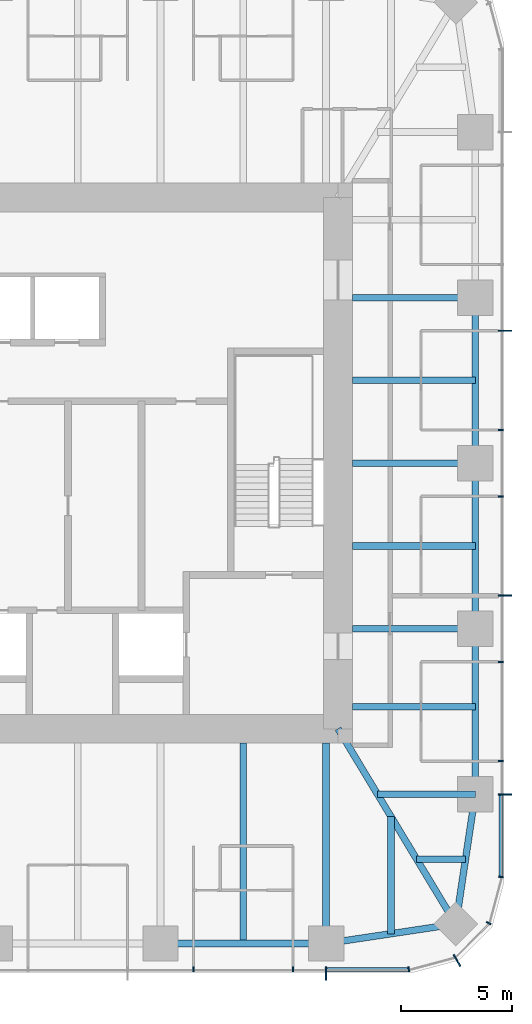
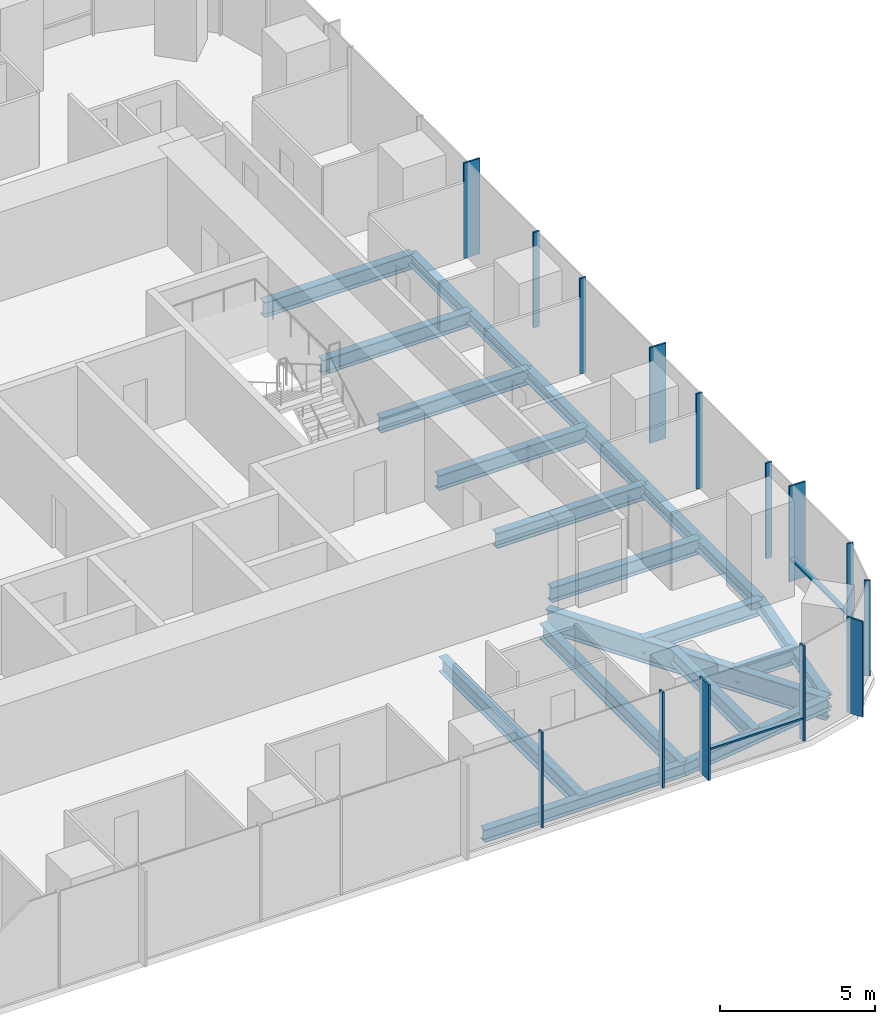
# One storey, part 4 of 12: 18 beams, 16 members, 3 elements without a shape of their own.
"""IFC4 building model written with IfcOpenShell, lengths in metres."""

from ifc_helpers import new_model, si_unit, direction, frame, origin, origin_2d, place, context, subcontext, project, spatial, rectangle, i_section, extrude, material, material_profile, profile_set, type_object, element, aggregate, save


model = new_model("IFC4")

# Units and contexts
model_context = context("Model", 3, precision=1e-05, world=origin(), true_north=direction((0.0, 1.0)))
body_context = subcontext(model_context, "Body", "Model", "MODEL_VIEW")
ifc_project = project(units=[si_unit("LENGTHUNIT", "METRE"), si_unit("AREAUNIT", "SQUARE_METRE"), si_unit("VOLUMEUNIT", "CUBIC_METRE"), si_unit("PLANEANGLEUNIT", "RADIAN"), si_unit("MASSUNIT", "GRAM", prefix="KILO")], contexts=[model_context])

# Site, building, storey
site_placement = place(None, origin())
site = spatial("IfcSite", under=ifc_project, at=site_placement, CompositionType="ELEMENT")
building_placement = place(site_placement, origin())
building = spatial("IfcBuilding", under=site, at=building_placement, Name="Khuree Lantern Residences", CompositionType="ELEMENT")
storey_placement = place(building_placement, frame((0.0, 0.0, 342.0)))
storey = spatial("IfcBuildingStorey", under=building, at=storey_placement, Name="L86", CompositionType="ELEMENT", Elevation=342.0)

# Beams
ifc_material_1 = material(Name="Steel S355", Category="steel")
ifc_material_profile_1 = material_profile(ifc_material_1, i_section(OverallWidth=0.300048828125, OverallDepth=0.590087890625, WebThickness=0.012939453125, FlangeThickness=0.02490234375, FilletRadius=0.027099609375, at=origin_2d()), Name="HE 600 A")
ifc_profile_set_1 = profile_set([ifc_material_profile_1], Name="Steel S355")
beam_type_1 = type_object("IfcBeamType", Name="B-45 SECONDARY BEAM HE 600 A", PredefinedType="BEAM", material=ifc_profile_set_1)
for number, where, z_axis, x_axis, name in (
    (1, (21.699951171875, 3.739990234375, -0.544921875), (-1.0, 0.0, 0.0), (0.0, -1.0, 0.0), "Secondary beam E3"),
    (2, (21.699951171875, -3.739990234375, -0.544921875), (-1.0, 0.0, 0.0), (0.0, -1.0, 0.0), "Secondary beam E4"),
    (3, (21.699951171875, -11.0, -0.544921875), (-1.0, 0.0, 0.0), (0.0, -1.0, 0.0), "Secondary beam E5"),
):
    element("IfcBeam", number, at=place(storey_placement, frame(where, z_axis=z_axis, x_axis=x_axis)), inside=storey, type_object=beam_type_1, Name=name, PredefinedType="BEAM", context=body_context, shape_type="SweptSolid", body=[
        extrude(i_section(OverallWidth=0.300048828125, OverallDepth=0.590087890625, WebThickness=0.012939453125, FlangeThickness=0.02490234375, FilletRadius=0.027099609375, at=origin_2d()), origin(), (0.0, 0.0, 1.0), 5.550048828125),
    ])
beam_1_placement = place(storey_placement, frame((21.2607421875, -17.890625, -0.544921875), z_axis=(-1.0, 0.0, 0.0), x_axis=(0.0, -1.0, 0.0)))
element("IfcBeam", 4, at=beam_1_placement, inside=storey, type_object=beam_type_1, Name="Secondary beam E6", PredefinedType="BEAM", context=body_context, shape_type="SweptSolid", body=[
    extrude(i_section(OverallWidth=0.300048828125, OverallDepth=0.590087890625, WebThickness=0.012939453125, FlangeThickness=0.02490234375, FilletRadius=0.027099609375, at=origin_2d()), origin(), (0.0, 0.0, 1.0), 2.207275390625),
])
beam_2_placement = place(storey_placement, frame((17.890625, -21.2607421875, -0.544921875), z_axis=(0.0, 1.0, 0.0), x_axis=(-1.0, 0.0, 0.0)))
element("IfcBeam", 5, at=beam_2_placement, inside=storey, type_object=beam_type_1, Name="Secondary beam S1", PredefinedType="BEAM", context=body_context, shape_type="SweptSolid", body=[
    extrude(i_section(OverallWidth=0.300048828125, OverallDepth=0.590087890625, WebThickness=0.012939453125, FlangeThickness=0.02490234375, FilletRadius=0.027099609375, at=origin_2d()), origin(), (0.0, 0.0, 1.0), 5.297607421875),
])
beam_3_placement = place(storey_placement, frame((11.219970703125, -21.699951171875, -0.544921875), z_axis=(0.0, 1.0, 0.0), x_axis=(-1.0, 0.0, 0.0)))
element("IfcBeam", 6, at=beam_3_placement, inside=storey, type_object=beam_type_1, Name="Secondary beam S2", PredefinedType="BEAM", context=body_context, shape_type="SweptSolid", body=[
    extrude(i_section(OverallWidth=0.300048828125, OverallDepth=0.590087890625, WebThickness=0.012939453125, FlangeThickness=0.02490234375, FilletRadius=0.027099609375, at=origin_2d()), origin(), (0.0, 0.0, 1.0), 9.050048828125),
])
ifc_material_profile_2 = material_profile(ifc_material_1, i_section(OverallWidth=0.300048828125, OverallDepth=0.489990234375, WebThickness=0.011962890625, FlangeThickness=0.02294921875, FilletRadius=0.027099609375, at=origin_2d()), Name="HE 500 A")
ifc_profile_set_2 = profile_set([ifc_material_profile_2], Name="Steel S355")
beam_type_2 = type_object("IfcBeamType", Name="E-45 SPANDREL BEAM HE 500 A", PredefinedType="SPANDREL", material=ifc_profile_set_2)
for number, where, z_axis, x_axis, name in (
    (7, (21.699951171875, 7.47998046875, -0.4951171875), (0.0, -1.0, 0.0), (1.0, 0.0, 0.0), "Spandrel beam E3"),
    (8, (21.699951171875, 0.0, -0.4951171875), (0.0, -1.0, 0.0), (1.0, 0.0, 0.0), "Spandrel beam E4"),
    (9, (21.699951171875, -7.47998046875, -0.4951171875), (0.0, -1.0, 0.0), (1.0, 0.0, 0.0), "Spandrel beam E5"),
):
    element("IfcBeam", number, at=place(storey_placement, frame(where, z_axis=z_axis, x_axis=x_axis)), inside=storey, type_object=beam_type_2, Name=name, PredefinedType="SPANDREL", context=body_context, shape_type="SweptSolid", body=[
        extrude(i_section(OverallWidth=0.300048828125, OverallDepth=0.489990234375, WebThickness=0.011962890625, FlangeThickness=0.02294921875, FilletRadius=0.027099609375, at=origin_2d()), origin(), (0.0, 0.0, 1.0), 7.47998046875),
    ])
for number, where, z_axis, x_axis, name in (
    (10, (21.699951171875, -14.9599609375, -0.4951171875), (-0.148251822985, -0.988949643299, 0.0), (0.988949643299, -0.148251822985, 0.0), "Spandrel beam E6"),
    (11, (20.8212890625, -20.8212890625, -0.4951171875), (-0.988949643299, -0.148251822985, 0.0), (0.148251822985, -0.988949643299, 0.0), "Spandrel beam S1"),
):
    element("IfcBeam", number, at=place(storey_placement, frame(where, z_axis=z_axis, x_axis=x_axis)), inside=storey, type_object=beam_type_2, Name=name, PredefinedType="SPANDREL", context=body_context, shape_type="SweptSolid", body=[
        extrude(i_section(OverallWidth=0.300048828125, OverallDepth=0.489990234375, WebThickness=0.011962890625, FlangeThickness=0.02294921875, FilletRadius=0.027099609375, at=origin_2d()), origin(), (0.0, 0.0, 1.0), 5.9267578125),
    ])
beam_4_placement = place(storey_placement, frame((14.9599609375, -21.699951171875, -0.4951171875), z_axis=(-1.0, 0.0, 0.0), x_axis=(0.0, -1.0, 0.0)))
element("IfcBeam", 12, at=beam_4_placement, inside=storey, type_object=beam_type_2, Name="Spandrel beam S2", PredefinedType="SPANDREL", context=body_context, shape_type="SweptSolid", body=[
    extrude(i_section(OverallWidth=0.300048828125, OverallDepth=0.489990234375, WebThickness=0.011962890625, FlangeThickness=0.02294921875, FilletRadius=0.027099609375, at=origin_2d()), origin(), (0.0, 0.0, 1.0), 7.47998046875),
])

# Curtain wall, member
ifc_material_2 = material(Name="Bronze anodised aluminium", Category="aluminium")
curtain_wall_type_1 = type_object("IfcCurtainWallType", Name="CW-T2 TOWER CORNER CURTAIN WALL", PredefinedType="USERDEFINED", material=ifc_material_2)
curtain_wall_1_placement = place(storey_placement, origin())
curtain_wall_1 = element("IfcCurtainWall", 13, at=curtain_wall_1_placement, inside=storey, type_object=curtain_wall_type_1, Name="L86 SOUTH-EAST CORNER CURTAIN WALL", ObjectType="Faceted corner curtain wall", PredefinedType="USERDEFINED")
ifc_material_profile_3 = material_profile(ifc_material_2, rectangle(XDim=0.06494140625, YDim=0.60009765625, at=origin_2d()), Name="F1 65X600")
ifc_profile_set_3 = profile_set([ifc_material_profile_3], Name="Bronze anodised aluminium")
member_type_1 = type_object("IfcMemberType", Name="F1 BRONZE FIN MULLION TOWER 65X600", PredefinedType="MULLION", material=ifc_profile_set_3)
member_1_placement = place(storey_placement, frame((20.875, -22.46728515625, 0.0), z_axis=(0.0, 0.0, 1.0), x_axis=(0.866025437565, 0.49999994149, 0.0)))
member_1 = element("IfcMember", 14, at=member_1_placement, type_object=member_type_1, Name="L86 SOUTH-EAST CORNER FIN MULLION 2", PredefinedType="MULLION", context=body_context, shape_type="SweptSolid", body=[
    extrude(rectangle(XDim=0.06494140625, YDim=0.60009765625, at=origin_2d()), origin(), (0.0, 0.0, 1.0), 3.75),
])

# Curtain wall, members
curtain_wall_type_2 = type_object("IfcCurtainWallType", Name="CW-T1 TOWER FACE CURTAIN WALL", PredefinedType="USERDEFINED", material=ifc_material_2)
curtain_wall_2_placement = place(storey_placement, origin())
curtain_wall_2 = element("IfcCurtainWall", 15, at=curtain_wall_2_placement, inside=storey, type_object=curtain_wall_type_2, Name="L86 EAST FACE CURTAIN WALL", ObjectType="Stick-built curtain wall", PredefinedType="USERDEFINED")
member_2_placement = place(storey_placement, frame((23.050048828125, -14.9599609375, 0.0), z_axis=(0.0, 0.0, 1.0), x_axis=(0.0, 1.0, 0.0)))
member_2 = element("IfcMember", 16, at=member_2_placement, type_object=member_type_1, Name="L86 EAST FACE FIN MULLION 5", PredefinedType="MULLION", context=body_context, shape_type="SweptSolid", body=[
    extrude(rectangle(XDim=0.06494140625, YDim=0.60009765625, at=origin_2d()), origin(), (0.0, 0.0, 1.0), 3.75),
])
member_3_placement = place(storey_placement, frame((23.050048828125, -5.98388671875, 0.0), z_axis=(0.0, 0.0, 1.0), x_axis=(0.0, 1.0, 0.0)))
member_3 = element("IfcMember", 17, at=member_3_placement, type_object=member_type_1, Name="L86 EAST FACE FIN MULLION 8", PredefinedType="MULLION", context=body_context, shape_type="SweptSolid", body=[
    extrude(rectangle(XDim=0.06494140625, YDim=0.60009765625, at=origin_2d()), origin(), (0.0, 0.0, 1.0), 3.75),
])
member_4_placement = place(storey_placement, frame((23.050048828125, 5.98388671875, 0.0), z_axis=(0.0, 0.0, 1.0), x_axis=(0.0, 1.0, 0.0)))
member_4 = element("IfcMember", 18, at=member_4_placement, type_object=member_type_1, Name="L86 EAST FACE FIN MULLION 11", PredefinedType="MULLION", context=body_context, shape_type="SweptSolid", body=[
    extrude(rectangle(XDim=0.06494140625, YDim=0.60009765625, at=origin_2d()), origin(), (0.0, 0.0, 1.0), 3.75),
])

# Curtain wall, member
curtain_wall_3_placement = place(storey_placement, origin())
curtain_wall_3 = element("IfcCurtainWall", 19, at=curtain_wall_3_placement, inside=storey, type_object=curtain_wall_type_2, Name="L86 SOUTH FACE CURTAIN WALL", ObjectType="Stick-built curtain wall", PredefinedType="USERDEFINED")
member_5_placement = place(storey_placement, frame((14.9599609375, -23.050048828125, 0.0), z_axis=(0.0, 0.0, 1.0), x_axis=(1.0, 0.0, 0.0)))
member_5 = element("IfcMember", 20, at=member_5_placement, type_object=member_type_1, Name="L86 SOUTH FACE FIN MULLION 56", PredefinedType="MULLION", context=body_context, shape_type="SweptSolid", body=[
    extrude(rectangle(XDim=0.06494140625, YDim=0.60009765625, at=origin_2d()), origin(), (0.0, 0.0, 1.0), 3.75),
])

# Beams
ifc_material_profile_4 = material_profile(ifc_material_1, i_section(OverallWidth=0.300048828125, OverallDepth=0.60009765625, WebThickness=0.015380859375, FlangeThickness=0.030029296875, FilletRadius=0.027099609375, at=origin_2d()), Name="HE 600 B")
ifc_profile_set_4 = profile_set([ifc_material_profile_4], Name="Steel S355")
beam_type_3 = type_object("IfcBeamType", Name="G-45 GIRDER HE 600 B", PredefinedType="BEAM", material=ifc_profile_set_4)
for number, where, z_axis, x_axis, name in (
    (21, (21.699951171875, 7.47998046875, -0.550048828125), (-1.0, 0.0, 0.0), (0.0, -1.0, 0.0), "Girder E2"),
    (22, (21.699951171875, 0.0, -0.550048828125), (-1.0, 0.0, 0.0), (0.0, -1.0, 0.0), "Girder E3"),
    (23, (21.699951171875, -7.47998046875, -0.550048828125), (-1.0, 0.0, 0.0), (0.0, -1.0, 0.0), "Girder E4"),
):
    element("IfcBeam", number, at=place(storey_placement, frame(where, z_axis=z_axis, x_axis=x_axis)), inside=storey, type_object=beam_type_3, Name=name, PredefinedType="BEAM", context=body_context, shape_type="SweptSolid", body=[
        extrude(i_section(OverallWidth=0.300048828125, OverallDepth=0.60009765625, WebThickness=0.015380859375, FlangeThickness=0.030029296875, FilletRadius=0.027099609375, at=origin_2d()), origin(), (0.0, 0.0, 1.0), 5.550048828125),
    ])
beam_5_placement = place(storey_placement, frame((21.699951171875, -14.9599609375, -0.550048828125), z_axis=(-1.0, 0.0, 0.0), x_axis=(0.0, -1.0, 0.0)))
element("IfcBeam", 24, at=beam_5_placement, inside=storey, type_object=beam_type_3, Name="Girder E5", PredefinedType="BEAM", context=body_context, shape_type="SweptSolid", body=[
    extrude(i_section(OverallWidth=0.300048828125, OverallDepth=0.60009765625, WebThickness=0.015380859375, FlangeThickness=0.030029296875, FilletRadius=0.027099609375, at=origin_2d()), origin(), (0.0, 0.0, 1.0), 4.414306640625),
])
beam_6_placement = place(storey_placement, frame((14.9599609375, -21.699951171875, -0.550048828125), z_axis=(0.0, 1.0, 0.0), x_axis=(-1.0, 0.0, 0.0)))
element("IfcBeam", 25, at=beam_6_placement, inside=storey, type_object=beam_type_3, Name="Girder S1", PredefinedType="BEAM", context=body_context, shape_type="SweptSolid", body=[
    extrude(i_section(OverallWidth=0.300048828125, OverallDepth=0.60009765625, WebThickness=0.015380859375, FlangeThickness=0.030029296875, FilletRadius=0.027099609375, at=origin_2d()), origin(), (0.0, 0.0, 1.0), 9.050048828125),
])
ifc_material_profile_5 = material_profile(ifc_material_1, i_section(OverallWidth=0.300048828125, OverallDepth=0.89990234375, WebThickness=0.0185546875, FlangeThickness=0.034912109375, FilletRadius=0.030029296875, at=origin_2d()), Name="HE 900 B")
ifc_profile_set_5 = profile_set([ifc_material_profile_5], Name="Steel S355")
beam_type_4 = type_object("IfcBeamType", Name="GD-45 CORNER GIRDER HE 900 B", PredefinedType="BEAM", material=ifc_profile_set_5)
beam_7_placement = place(storey_placement, frame((20.8212890625, -20.8212890625, -0.699951171875), z_axis=(-0.516529577604, 0.856269347495, 0.0), x_axis=(-0.856269347495, -0.516529577604, 0.0)))
element("IfcBeam", 26, at=beam_7_placement, inside=storey, type_object=beam_type_4, Name="Corner girder SE", PredefinedType="BEAM", context=body_context, shape_type="SweptSolid", body=[
    extrude(i_section(OverallWidth=0.300048828125, OverallDepth=0.89990234375, WebThickness=0.0185546875, FlangeThickness=0.034912109375, FilletRadius=0.030029296875, at=origin_2d()), origin(), (0.0, 0.0, 1.0), 10.302001953125),
])

# Member
ifc_material_profile_6 = material_profile(ifc_material_2, rectangle(XDim=0.06494140625, YDim=0.219970703125, at=origin_2d()), Name="M1 65X220")
ifc_profile_set_6 = profile_set([ifc_material_profile_6], Name="Bronze anodised aluminium")
member_type_2 = type_object("IfcMemberType", Name="M1 BRONZE MULLION TOWER 65X220", PredefinedType="MULLION", material=ifc_profile_set_6)
member_6_placement = place(storey_placement, frame((18.695068359375, -22.86181640625, 0.0), z_axis=(0.0, 0.0, 1.0), x_axis=(0.991444870192, 0.130526125236, 0.0)))
member_6 = element("IfcMember", 27, at=member_6_placement, type_object=member_type_2, Name="L86 SOUTH-EAST CORNER MULLION 1", PredefinedType="MULLION", context=body_context, shape_type="SweptSolid", body=[
    extrude(rectangle(XDim=0.06494140625, YDim=0.219970703125, at=origin_2d()), origin(), (0.0, 0.0, 1.0), 3.75),
])

member_7_placement = place(storey_placement, frame((22.302734375, -20.780029296875, 0.0), z_axis=(0.0, 0.0, 1.0), x_axis=(0.49999994149, 0.866025437565, 0.0)))
member_7 = element("IfcMember", 28, at=member_7_placement, type_object=member_type_2, Name="L86 SOUTH-EAST CORNER MULLION 3", PredefinedType="MULLION", context=body_context, shape_type="SweptSolid", body=[
    extrude(rectangle(XDim=0.06494140625, YDim=0.219970703125, at=origin_2d()), origin(), (0.0, 0.0, 1.0), 3.75),
])

aggregate(curtain_wall_1, [member_6, member_1, member_7])

member_8_placement = place(storey_placement, frame((22.86181640625, -18.695068359375, 0.0), z_axis=(0.0, 0.0, 1.0), x_axis=(0.130526125236, 0.991444870192, 0.0)))
member_8 = element("IfcMember", 29, at=member_8_placement, type_object=member_type_2, Name="L86 EAST FACE MULLION 4", PredefinedType="MULLION", context=body_context, shape_type="SweptSolid", body=[
    extrude(rectangle(XDim=0.06494140625, YDim=0.219970703125, at=origin_2d()), origin(), (0.0, 0.0, 1.0), 3.75),
])

member_9_placement = place(storey_placement, frame((22.860107421875, -13.464111328125, 0.0), z_axis=(0.0, 0.0, 1.0), x_axis=(0.0, 1.0, 0.0)))
member_9 = element("IfcMember", 30, at=member_9_placement, type_object=member_type_2, Name="L86 EAST FACE MULLION 6", PredefinedType="MULLION", context=body_context, shape_type="SweptSolid", body=[
    extrude(rectangle(XDim=0.06494140625, YDim=0.219970703125, at=origin_2d()), origin(), (0.0, 0.0, 1.0), 3.75),
])

member_10_placement = place(storey_placement, frame((22.860107421875, -8.97607421875, 0.0), z_axis=(0.0, 0.0, 1.0), x_axis=(0.0, 1.0, 0.0)))
member_10 = element("IfcMember", 31, at=member_10_placement, type_object=member_type_2, Name="L86 EAST FACE MULLION 7", PredefinedType="MULLION", context=body_context, shape_type="SweptSolid", body=[
    extrude(rectangle(XDim=0.06494140625, YDim=0.219970703125, at=origin_2d()), origin(), (0.0, 0.0, 1.0), 3.75),
])

member_11_placement = place(storey_placement, frame((22.860107421875, -1.49609375, 0.0), z_axis=(0.0, 0.0, 1.0), x_axis=(0.0, 1.0, 0.0)))
member_11 = element("IfcMember", 32, at=member_11_placement, type_object=member_type_2, Name="L86 EAST FACE MULLION 9", PredefinedType="MULLION", context=body_context, shape_type="SweptSolid", body=[
    extrude(rectangle(XDim=0.06494140625, YDim=0.219970703125, at=origin_2d()), origin(), (0.0, 0.0, 1.0), 3.75),
])

member_12_placement = place(storey_placement, frame((22.860107421875, 1.49609375, 0.0), z_axis=(0.0, 0.0, 1.0), x_axis=(0.0, 1.0, 0.0)))
member_12 = element("IfcMember", 33, at=member_12_placement, type_object=member_type_2, Name="L86 EAST FACE MULLION 10", PredefinedType="MULLION", context=body_context, shape_type="SweptSolid", body=[
    extrude(rectangle(XDim=0.06494140625, YDim=0.219970703125, at=origin_2d()), origin(), (0.0, 0.0, 1.0), 3.75),
])

member_13_placement = place(storey_placement, frame((8.97607421875, -22.860107421875, 0.0), z_axis=(0.0, 0.0, 1.0), x_axis=(1.0, 0.0, 0.0)))
member_13 = element("IfcMember", 34, at=member_13_placement, type_object=member_type_2, Name="L86 SOUTH FACE MULLION 54", PredefinedType="MULLION", context=body_context, shape_type="SweptSolid", body=[
    extrude(rectangle(XDim=0.06494140625, YDim=0.219970703125, at=origin_2d()), origin(), (0.0, 0.0, 1.0), 3.75),
])

member_14_placement = place(storey_placement, frame((13.464111328125, -22.860107421875, 0.0), z_axis=(0.0, 0.0, 1.0), x_axis=(1.0, 0.0, 0.0)))
member_14 = element("IfcMember", 35, at=member_14_placement, type_object=member_type_2, Name="L86 SOUTH FACE MULLION 55", PredefinedType="MULLION", context=body_context, shape_type="SweptSolid", body=[
    extrude(rectangle(XDim=0.06494140625, YDim=0.219970703125, at=origin_2d()), origin(), (0.0, 0.0, 1.0), 3.75),
])

ifc_material_profile_7 = material_profile(ifc_material_2, rectangle(XDim=0.179931640625, YDim=0.06494140625, at=origin_2d()), Name="T1 180X65")
ifc_profile_set_7 = profile_set([ifc_material_profile_7], Name="Bronze anodised aluminium")
member_type_3 = type_object("IfcMemberType", Name="TRANSOM T1 TOWER 180X65", PredefinedType="USERDEFINED", material=ifc_profile_set_7)
member_15_placement = place(storey_placement, frame((22.8701171875, -18.6513671875, 0.89990234375), z_axis=(0.0, 1.0, 0.0), x_axis=(-1.0, 0.0, 0.0)))
member_15 = element("IfcMember", 36, at=member_15_placement, type_object=member_type_3, Name="L86 EAST FACE TRANSOM 4.1", ObjectType="Transom", PredefinedType="USERDEFINED", context=body_context, shape_type="SweptSolid", body=[
    extrude(rectangle(XDim=0.179931640625, YDim=0.06494140625, at=origin_2d()), origin(), (0.0, 0.0, 1.0), 3.658935546875),
])

aggregate(curtain_wall_2, [member_8, member_2, member_9, member_10, member_3, member_11, member_12, member_4, member_15])

member_16_placement = place(storey_placement, frame((14.992431640625, -22.8701171875, 0.89990234375), z_axis=(1.0, 0.0, 0.0), x_axis=(0.0, 1.0, 0.0)))
member_16 = element("IfcMember", 37, at=member_16_placement, type_object=member_type_3, Name="L86 SOUTH FACE TRANSOM 56.1", ObjectType="Transom", PredefinedType="USERDEFINED", context=body_context, shape_type="SweptSolid", body=[
    extrude(rectangle(XDim=0.179931640625, YDim=0.06494140625, at=origin_2d()), origin(), (0.0, 0.0, 1.0), 3.658935546875),
])

aggregate(curtain_wall_3, [member_13, member_14, member_5, member_16])

save(model, "model.ifc")
